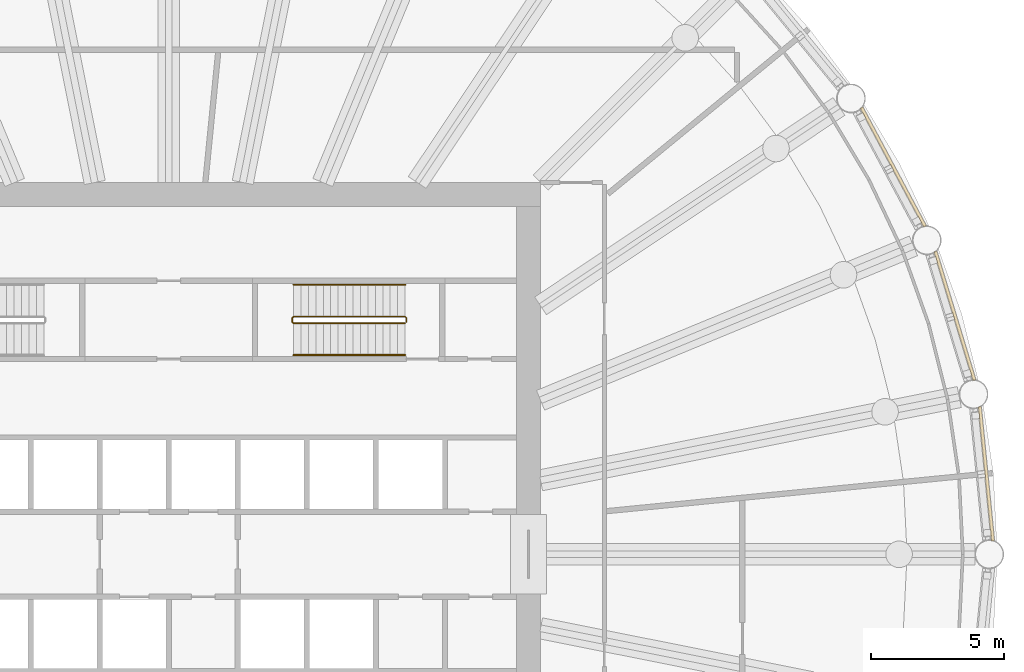
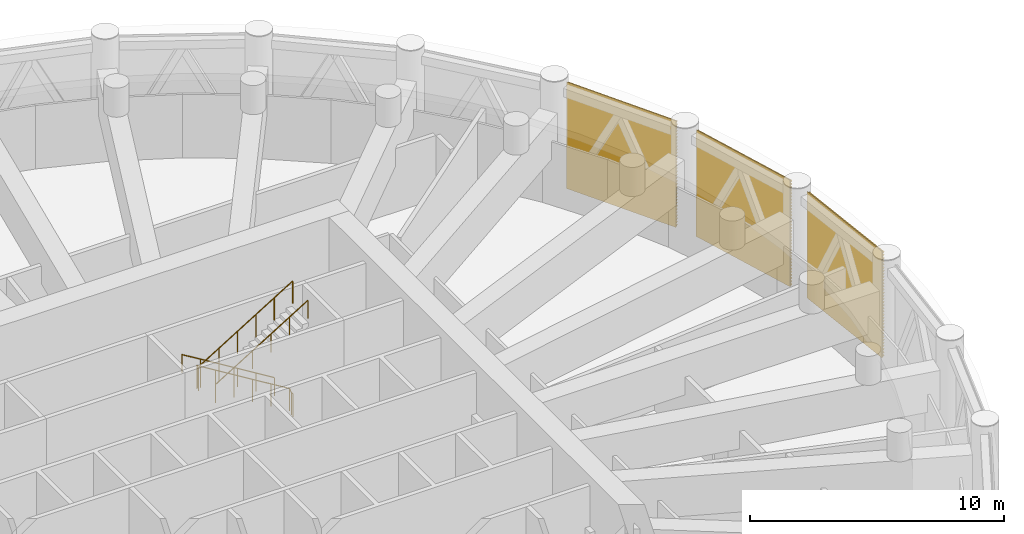
# One storey, part 22 of 23: 3 railings, 3 shading devices, 3 elements without a shape of their own.
"""IFC4 building model written with IfcOpenShell, lengths in metres."""

from ifc_helpers import new_model, si_unit, direction, frame, origin, origin_2d, place, context, subcontext, project, spatial, polyline, circle, outline, extrude, material, material_profile, profile_set, type_object, element, aggregate, save


model = new_model("IFC4")

# Units and contexts
model_context = context("Model", 3, precision=1e-05, world=origin(), true_north=direction((0.0, 1.0)))
body_context = subcontext(model_context, "Body", "Model", "MODEL_VIEW")
ifc_project = project(units=[si_unit("LENGTHUNIT", "METRE"), si_unit("AREAUNIT", "SQUARE_METRE"), si_unit("VOLUMEUNIT", "CUBIC_METRE"), si_unit("PLANEANGLEUNIT", "RADIAN"), si_unit("MASSUNIT", "GRAM", prefix="KILO")], contexts=[model_context])

# Site, building, storey
site_placement = place(None, origin())
site = spatial("IfcSite", under=ifc_project, at=site_placement, CompositionType="ELEMENT")
building_placement = place(site_placement, origin())
building = spatial("IfcBuilding", under=site, at=building_placement, Name="Corvane Civic Tower", CompositionType="ELEMENT")
storey_placement = place(building_placement, frame((0.0, 0.0, 196.0)))
storey = spatial("IfcBuildingStorey", under=building, at=storey_placement, Name="L46", CompositionType="ELEMENT", Elevation=196.0)

# Railings
ifc_material_1 = material(Name="Steel ASTM A572 Gr 50", Category="steel")
railing_type_1 = type_object("IfcRailingType", Name="ST-GUARD-1100", PredefinedType="GUARDRAIL", material=ifc_material_1)
railing_1_placement = place(storey_placement, frame((8.949951171875, 8.75, 0.0)))
element("IfcRailing", 1, at=railing_1_placement, inside=storey, type_object=railing_type_1, Name="L46 ST1 stair guard 1", PredefinedType="GUARDRAIL", context=body_context, shape_type="SweptSolid", body=[
    extrude(circle(Radius=0.02392578125, at=origin_2d()), frame((0.0, 0.0, 1.076171875), z_axis=(0.0, 1.0, 0.0), x_axis=(-1.0, 0.0, 0.0)), (0.0, 0.0, 1.0), 0.14990234375),
    extrude(circle(Radius=0.02392578125, at=origin_2d()), frame((0.0, 0.14990234375, 1.076171875), z_axis=(-0.269255725606, 0.269255725606, 0.92466356501), x_axis=(-0.707106781187, -0.707106781187, 0.0)), (0.0, 0.0, 1.0), 0.185791015625),
    extrude(circle(Radius=0.02392578125, at=origin_2d()), frame((-0.050048828125, 0.199951171875, 1.248046875), z_axis=(-0.852242915053, 0.0, 0.523146264196), x_axis=(0.0, -1.0, 0.0)), (0.0, 0.0, 1.0), 4.92822265625),
    extrude(circle(Radius=0.02392578125, at=origin_2d()), frame((-4.25, 0.199951171875, 3.826171875), z_axis=(-0.707106781187, -0.707106781187, 0.0), x_axis=(0.707106781187, -0.707106781187, 0.0)), (0.0, 0.0, 1.0), 0.07080078125),
    extrude(circle(Radius=0.02392578125, at=origin_2d()), frame((-4.300048828125, 0.14990234375, 3.826171875), z_axis=(0.0, -1.0, 0.0), x_axis=(1.0, 0.0, 0.0)), (0.0, 0.0, 1.0), 0.14990234375),
    extrude(circle(Radius=0.02392578125, at=origin_2d()), frame((-4.300048828125, 0.0, 3.826171875), z_axis=(0.269255725606, -0.269255725606, 0.92466356501), x_axis=(0.707106781187, 0.707106781187, 0.0)), (0.0, 0.0, 1.0), 0.185791015625),
    extrude(circle(Radius=0.02392578125, at=origin_2d()), frame((-4.25, -0.050048828125, 3.998046875), z_axis=(0.852242915053, 0.0, 0.523146264196), x_axis=(0.0, 1.0, 0.0)), (0.0, 0.0, 1.0), 4.92822265625),
    extrude(circle(Radius=0.02099609375, at=origin_2d()), origin(), (0.0, 0.0, 1.0), 1.052001953125),
    extrude(circle(Radius=0.02099609375, at=origin_2d()), frame((0.0, 0.14990234375, 0.0)), (0.0, 0.0, 1.0), 1.052001953125),
    extrude(circle(Radius=0.02099609375, at=origin_2d()), frame((-0.050048828125, 0.199951171875, 0.171875)), (0.0, 0.0, 1.0), 1.052001953125),
    extrude(circle(Radius=0.02099609375, at=origin_2d()), frame((-0.89013671875, 0.199951171875, 0.6875)), (0.0, 0.0, 1.0), 1.052001953125),
    extrude(circle(Radius=0.02099609375, at=origin_2d()), frame((-1.72998046875, 0.199951171875, 1.203125)), (0.0, 0.0, 1.0), 1.052001953125),
    extrude(circle(Radius=0.02099609375, at=origin_2d()), frame((-2.570068359375, 0.199951171875, 1.71875)), (0.0, 0.0, 1.0), 1.052001953125),
    extrude(circle(Radius=0.02099609375, at=origin_2d()), frame((-3.409912109375, 0.199951171875, 2.234375)), (0.0, 0.0, 1.0), 1.052001953125),
    extrude(circle(Radius=0.02099609375, at=origin_2d()), frame((-4.25, 0.199951171875, 2.75)), (0.0, 0.0, 1.0), 1.052001953125),
    extrude(circle(Radius=0.02099609375, at=origin_2d()), frame((-4.300048828125, 0.14990234375, 2.75)), (0.0, 0.0, 1.0), 1.052001953125),
    extrude(circle(Radius=0.02099609375, at=origin_2d()), frame((-4.300048828125, 0.0, 2.75)), (0.0, 0.0, 1.0), 1.052001953125),
    extrude(circle(Radius=0.02099609375, at=origin_2d()), frame((-4.25, -0.050048828125, 2.921875)), (0.0, 0.0, 1.0), 1.052001953125),
    extrude(circle(Radius=0.02099609375, at=origin_2d()), frame((-3.409912109375, -0.050048828125, 3.4375)), (0.0, 0.0, 1.0), 1.052001953125),
    extrude(circle(Radius=0.02099609375, at=origin_2d()), frame((-2.570068359375, -0.050048828125, 3.953125)), (0.0, 0.0, 1.0), 1.052001953125),
    extrude(circle(Radius=0.02099609375, at=origin_2d()), frame((-1.72998046875, -0.050048828125, 4.46875)), (0.0, 0.0, 1.0), 1.052001953125),
    extrude(circle(Radius=0.02099609375, at=origin_2d()), frame((-0.89013671875, -0.050048828125, 4.984375)), (0.0, 0.0, 1.0), 1.052001953125),
    extrude(circle(Radius=0.02099609375, at=origin_2d()), frame((-0.050048828125, -0.050048828125, 5.5)), (0.0, 0.0, 1.0), 1.052001953125),
])
ifc_material_2 = material(Name="Steel ASTM A572 Gr 50", Category="steel")
railing_type_2 = type_object("IfcRailingType", Name="ST-HANDRAIL-900", PredefinedType="HANDRAIL", material=ifc_material_2)
railing_2_placement = place(storey_placement, frame((8.89990234375, 10.14990234375, 0.171875)))
element("IfcRailing", 2, at=railing_2_placement, inside=storey, type_object=railing_type_2, Name="L46 ST1 stair handrail 1", PredefinedType="HANDRAIL", context=body_context, shape_type="SweptSolid", body=[
    extrude(circle(Radius=0.02392578125, at=origin_2d()), frame((0.0, 0.0, 0.8759765625), z_axis=(-0.852242915053, 0.0, 0.523146264196), x_axis=(0.0, -1.0, 0.0)), (0.0, 0.0, 1.0), 4.92822265625),
    extrude(circle(Radius=0.02099609375, at=origin_2d()), origin(), (0.0, 0.0, 1.0), 0.851806640625),
    extrude(circle(Radius=0.02099609375, at=origin_2d()), frame((-0.840087890625, 0.0, 0.515625)), (0.0, 0.0, 1.0), 0.851806640625),
    extrude(circle(Radius=0.02099609375, at=origin_2d()), frame((-1.679931640625, 0.0, 1.03125)), (0.0, 0.0, 1.0), 0.851806640625),
    extrude(circle(Radius=0.02099609375, at=origin_2d()), frame((-2.52001953125, 0.0, 1.546875)), (0.0, 0.0, 1.0), 0.851806640625),
    extrude(circle(Radius=0.02099609375, at=origin_2d()), frame((-3.35986328125, 0.0, 2.0625)), (0.0, 0.0, 1.0), 0.851806640625),
    extrude(circle(Radius=0.02099609375, at=origin_2d()), frame((-4.199951171875, 0.0, 2.578125)), (0.0, 0.0, 1.0), 0.851806640625),
])
railing_3_placement = place(storey_placement, frame((4.699951171875, 7.5, 2.921875)))
element("IfcRailing", 3, at=railing_3_placement, inside=storey, type_object=railing_type_2, Name="L46 ST1 stair handrail 2", PredefinedType="HANDRAIL", context=body_context, shape_type="SweptSolid", body=[
    extrude(circle(Radius=0.02392578125, at=origin_2d()), frame((0.0, 0.0, 0.8759765625), z_axis=(0.852242915053, 0.0, 0.523146264196), x_axis=(0.0, 1.0, 0.0)), (0.0, 0.0, 1.0), 4.92822265625),
    extrude(circle(Radius=0.02099609375, at=origin_2d()), origin(), (0.0, 0.0, 1.0), 0.851806640625),
    extrude(circle(Radius=0.02099609375, at=origin_2d()), frame((0.840087890625, 0.0, 0.515625)), (0.0, 0.0, 1.0), 0.851806640625),
    extrude(circle(Radius=0.02099609375, at=origin_2d()), frame((1.679931640625, 0.0, 1.03125)), (0.0, 0.0, 1.0), 0.851806640625),
    extrude(circle(Radius=0.02099609375, at=origin_2d()), frame((2.52001953125, 0.0, 1.546875)), (0.0, 0.0, 1.0), 0.851806640625),
    extrude(circle(Radius=0.02099609375, at=origin_2d()), frame((3.35986328125, 0.0, 2.0625)), (0.0, 0.0, 1.0), 0.851806640625),
    extrude(circle(Radius=0.02099609375, at=origin_2d()), frame((4.199951171875, 0.0, 2.578125)), (0.0, 0.0, 1.0), 0.851806640625),
])

# Curtain wall, shading device
ifc_material_3 = material(Name="Anodised aluminium bronze", Category="aluminium")
curtain_wall_type = type_object("IfcCurtainWallType", Name="TOWER CW-LV LOUVRE SCREEN WALL", PredefinedType="NOTDEFINED", material=ifc_material_3)
curtain_wall_1_placement = place(storey_placement, origin())
curtain_wall_1 = element("IfcCurtainWall", 4, at=curtain_wall_1_placement, inside=storey, type_object=curtain_wall_type, Name="Louvre screen wall CW-LV L46 bay 06", PredefinedType="NOTDEFINED")
ifc_material_4 = material(Name="Anodised aluminium bronze", Category="aluminium")
ifc_material_profile = material_profile(ifc_material_4, outline(polyline([(-0.06005859375, -2.56494140625), (-0.0400390625, -2.56494140625), (0.06005859375, -2.492919921875), (0.06005859375, -2.472900390625), (-0.0400390625, -2.544921875), (-0.0400390625, -2.4140625), (0.06005859375, -2.342041015625), (0.06005859375, -2.322021484375), (-0.0400390625, -2.39404296875), (-0.0400390625, -2.26318359375), (0.06005859375, -2.191162109375), (0.06005859375, -2.171142578125), (-0.0400390625, -2.2431640625), (-0.0400390625, -2.1123046875), (0.06005859375, -2.040283203125), (0.06005859375, -2.0205078125), (-0.0400390625, -2.09228515625), (-0.0400390625, -1.96142578125), (0.06005859375, -1.889404296875), (0.06005859375, -1.869384765625), (-0.0400390625, -1.94140625), (-0.0400390625, -1.810546875), (0.06005859375, -1.738525390625), (0.06005859375, -1.718505859375), (-0.0400390625, -1.79052734375), (-0.0400390625, -1.65966796875), (0.06005859375, -1.587646484375), (0.06005859375, -1.567626953125), (-0.0400390625, -1.6396484375), (-0.0400390625, -1.5087890625), (0.06005859375, -1.436767578125), (0.06005859375, -1.416748046875), (-0.0400390625, -1.48876953125), (-0.0400390625, -1.35791015625), (0.06005859375, -1.285888671875), (0.06005859375, -1.265869140625), (-0.0400390625, -1.337890625), (-0.0400390625, -1.20703125), (0.06005859375, -1.135009765625), (0.06005859375, -1.114990234375), (-0.0400390625, -1.18701171875), (-0.0400390625, -1.05615234375), (0.06005859375, -0.984130859375), (0.06005859375, -0.964111328125), (-0.0400390625, -1.0361328125), (-0.0400390625, -0.9052734375), (0.06005859375, -0.833251953125), (0.06005859375, -0.813232421875), (-0.0400390625, -0.88525390625), (-0.0400390625, -0.75439453125), (0.06005859375, -0.682373046875), (0.06005859375, -0.662353515625), (-0.0400390625, -0.734375), (-0.0400390625, -0.603515625), (0.06005859375, -0.531494140625), (0.06005859375, -0.511474609375), (-0.0400390625, -0.58349609375), (-0.0400390625, -0.45263671875), (0.06005859375, -0.380615234375), (0.06005859375, -0.360595703125), (-0.0400390625, -0.4326171875), (-0.0400390625, -0.3017578125), (0.06005859375, -0.229736328125), (0.06005859375, -0.209716796875), (-0.0400390625, -0.28173828125), (-0.0400390625, -0.15087890625), (0.06005859375, -0.078857421875), (0.06005859375, -0.058837890625), (-0.0400390625, -0.130859375), (-0.0400390625, 0.0), (0.06005859375, 0.072021484375), (0.06005859375, 0.092041015625), (-0.0400390625, 0.02001953125), (-0.0400390625, 0.15087890625), (0.06005859375, 0.222900390625), (0.06005859375, 0.242919921875), (-0.0400390625, 0.1708984375), (-0.0400390625, 0.3017578125), (0.06005859375, 0.373779296875), (0.06005859375, 0.393798828125), (-0.0400390625, 0.32177734375), (-0.0400390625, 0.45263671875), (0.06005859375, 0.524658203125), (0.06005859375, 0.544677734375), (-0.0400390625, 0.47265625), (-0.0400390625, 0.603515625), (0.06005859375, 0.675537109375), (0.06005859375, 0.695556640625), (-0.0400390625, 0.62353515625), (-0.0400390625, 0.75439453125), (0.06005859375, 0.826416015625), (0.06005859375, 0.846435546875), (-0.0400390625, 0.7744140625), (-0.0400390625, 0.9052734375), (0.06005859375, 0.977294921875), (0.06005859375, 0.997314453125), (-0.0400390625, 0.92529296875), (-0.0400390625, 1.05615234375), (0.06005859375, 1.128173828125), (0.06005859375, 1.148193359375), (-0.0400390625, 1.076171875), (-0.0400390625, 1.20703125), (0.06005859375, 1.279052734375), (0.06005859375, 1.299072265625), (-0.0400390625, 1.22705078125), (-0.0400390625, 1.35791015625), (0.06005859375, 1.429931640625), (0.06005859375, 1.449951171875), (-0.0400390625, 1.3779296875), (-0.0400390625, 1.5087890625), (0.06005859375, 1.580810546875), (0.06005859375, 1.600830078125), (-0.0400390625, 1.52880859375), (-0.0400390625, 1.65966796875), (0.06005859375, 1.731689453125), (0.06005859375, 1.751708984375), (-0.0400390625, 1.6796875), (-0.0400390625, 1.810546875), (0.06005859375, 1.882568359375), (0.06005859375, 1.902587890625), (-0.0400390625, 1.83056640625), (-0.0400390625, 1.96142578125), (0.06005859375, 2.033447265625), (0.06005859375, 2.053466796875), (-0.0400390625, 1.9814453125), (-0.0400390625, 2.1123046875), (0.06005859375, 2.184326171875), (0.06005859375, 2.204345703125), (-0.0400390625, 2.13232421875), (-0.0400390625, 2.26318359375), (0.06005859375, 2.335205078125), (0.06005859375, 2.355224609375), (-0.0400390625, 2.283203125), (-0.0400390625, 2.4140625), (0.06005859375, 2.486083984375), (0.06005859375, 2.506103515625), (-0.0400390625, 2.43408203125), (-0.0400390625, 2.56494140625), (-0.06005859375, 2.56494140625), (-0.06005859375, -2.56494140625)])), Name="TOWER LOUVRE BANK 5130 BRONZE")
ifc_profile_set = profile_set([ifc_material_profile], Name="Anodised aluminium bronze")
shading_device_type = type_object("IfcShadingDeviceType", Name="TOWER LOUVRE BANK 5130 BRONZE", PredefinedType="USERDEFINED", material=ifc_profile_set)
shading_device_1_placement = place(storey_placement, frame((26.081298828125, 16.819580078125, 2.68505859375), z_axis=(0.471396615074, -0.881921329426, 0.0), x_axis=(0.881921329426, 0.471396615074, 0.0)))
shading_device_1 = element("IfcShadingDevice", 5, at=shading_device_1_placement, type_object=shading_device_type, Name="Louvre bank L46 06.1", ObjectType="LOUVRE", PredefinedType="USERDEFINED", context=body_context, shape_type="SweptSolid", body=[
    extrude(outline(polyline([(-0.06005859375, -2.56494140625), (-0.0400390625, -2.56494140625), (0.06005859375, -2.492919921875), (0.06005859375, -2.472900390625), (-0.0400390625, -2.544921875), (-0.0400390625, -2.4140625), (0.06005859375, -2.342041015625), (0.06005859375, -2.322021484375), (-0.0400390625, -2.39404296875), (-0.0400390625, -2.26318359375), (0.06005859375, -2.191162109375), (0.06005859375, -2.171142578125), (-0.0400390625, -2.2431640625), (-0.0400390625, -2.1123046875), (0.06005859375, -2.040283203125), (0.06005859375, -2.0205078125), (-0.0400390625, -2.09228515625), (-0.0400390625, -1.96142578125), (0.06005859375, -1.889404296875), (0.06005859375, -1.869384765625), (-0.0400390625, -1.94140625), (-0.0400390625, -1.810546875), (0.06005859375, -1.738525390625), (0.06005859375, -1.718505859375), (-0.0400390625, -1.79052734375), (-0.0400390625, -1.65966796875), (0.06005859375, -1.587646484375), (0.06005859375, -1.567626953125), (-0.0400390625, -1.6396484375), (-0.0400390625, -1.5087890625), (0.06005859375, -1.436767578125), (0.06005859375, -1.416748046875), (-0.0400390625, -1.48876953125), (-0.0400390625, -1.35791015625), (0.06005859375, -1.285888671875), (0.06005859375, -1.265869140625), (-0.0400390625, -1.337890625), (-0.0400390625, -1.20703125), (0.06005859375, -1.135009765625), (0.06005859375, -1.114990234375), (-0.0400390625, -1.18701171875), (-0.0400390625, -1.05615234375), (0.06005859375, -0.984130859375), (0.06005859375, -0.964111328125), (-0.0400390625, -1.0361328125), (-0.0400390625, -0.9052734375), (0.06005859375, -0.833251953125), (0.06005859375, -0.813232421875), (-0.0400390625, -0.88525390625), (-0.0400390625, -0.75439453125), (0.06005859375, -0.682373046875), (0.06005859375, -0.662353515625), (-0.0400390625, -0.734375), (-0.0400390625, -0.603515625), (0.06005859375, -0.531494140625), (0.06005859375, -0.511474609375), (-0.0400390625, -0.58349609375), (-0.0400390625, -0.45263671875), (0.06005859375, -0.380615234375), (0.06005859375, -0.360595703125), (-0.0400390625, -0.4326171875), (-0.0400390625, -0.3017578125), (0.06005859375, -0.229736328125), (0.06005859375, -0.209716796875), (-0.0400390625, -0.28173828125), (-0.0400390625, -0.15087890625), (0.06005859375, -0.078857421875), (0.06005859375, -0.058837890625), (-0.0400390625, -0.130859375), (-0.0400390625, 0.0), (0.06005859375, 0.072021484375), (0.06005859375, 0.092041015625), (-0.0400390625, 0.02001953125), (-0.0400390625, 0.15087890625), (0.06005859375, 0.222900390625), (0.06005859375, 0.242919921875), (-0.0400390625, 0.1708984375), (-0.0400390625, 0.3017578125), (0.06005859375, 0.373779296875), (0.06005859375, 0.393798828125), (-0.0400390625, 0.32177734375), (-0.0400390625, 0.45263671875), (0.06005859375, 0.524658203125), (0.06005859375, 0.544677734375), (-0.0400390625, 0.47265625), (-0.0400390625, 0.603515625), (0.06005859375, 0.675537109375), (0.06005859375, 0.695556640625), (-0.0400390625, 0.62353515625), (-0.0400390625, 0.75439453125), (0.06005859375, 0.826416015625), (0.06005859375, 0.846435546875), (-0.0400390625, 0.7744140625), (-0.0400390625, 0.9052734375), (0.06005859375, 0.977294921875), (0.06005859375, 0.997314453125), (-0.0400390625, 0.92529296875), (-0.0400390625, 1.05615234375), (0.06005859375, 1.128173828125), (0.06005859375, 1.148193359375), (-0.0400390625, 1.076171875), (-0.0400390625, 1.20703125), (0.06005859375, 1.279052734375), (0.06005859375, 1.299072265625), (-0.0400390625, 1.22705078125), (-0.0400390625, 1.35791015625), (0.06005859375, 1.429931640625), (0.06005859375, 1.449951171875), (-0.0400390625, 1.3779296875), (-0.0400390625, 1.5087890625), (0.06005859375, 1.580810546875), (0.06005859375, 1.600830078125), (-0.0400390625, 1.52880859375), (-0.0400390625, 1.65966796875), (0.06005859375, 1.731689453125), (0.06005859375, 1.751708984375), (-0.0400390625, 1.6796875), (-0.0400390625, 1.810546875), (0.06005859375, 1.882568359375), (0.06005859375, 1.902587890625), (-0.0400390625, 1.83056640625), (-0.0400390625, 1.96142578125), (0.06005859375, 2.033447265625), (0.06005859375, 2.053466796875), (-0.0400390625, 1.9814453125), (-0.0400390625, 2.1123046875), (0.06005859375, 2.184326171875), (0.06005859375, 2.204345703125), (-0.0400390625, 2.13232421875), (-0.0400390625, 2.26318359375), (0.06005859375, 2.335205078125), (0.06005859375, 2.355224609375), (-0.0400390625, 2.283203125), (-0.0400390625, 2.4140625), (0.06005859375, 2.486083984375), (0.06005859375, 2.506103515625), (-0.0400390625, 2.43408203125), (-0.0400390625, 2.56494140625), (-0.06005859375, 2.56494140625), (-0.06005859375, -2.56494140625)])), origin(), (0.0, 0.0, 1.0), 5.07763671875),
])
aggregate(curtain_wall_1, [shading_device_1])

curtain_wall_2_placement = place(storey_placement, origin())
curtain_wall_2 = element("IfcCurtainWall", 6, at=curtain_wall_2_placement, inside=storey, type_object=curtain_wall_type, Name="Louvre screen wall CW-LV L46 bay 07", PredefinedType="NOTDEFINED")
shading_device_2_placement = place(storey_placement, frame((28.861572265625, 11.407958984375, 2.68505859375), z_axis=(0.290288977061, -0.956939031389, 0.0), x_axis=(0.956939031389, 0.290288977061, 0.0)))
shading_device_2 = element("IfcShadingDevice", 7, at=shading_device_2_placement, type_object=shading_device_type, Name="Louvre bank L46 07.1", ObjectType="LOUVRE", PredefinedType="USERDEFINED", context=body_context, shape_type="SweptSolid", body=[
    extrude(outline(polyline([(-0.06005859375, -2.56494140625), (-0.0400390625, -2.56494140625), (0.06005859375, -2.492919921875), (0.06005859375, -2.472900390625), (-0.0400390625, -2.544921875), (-0.0400390625, -2.4140625), (0.06005859375, -2.342041015625), (0.06005859375, -2.322021484375), (-0.0400390625, -2.39404296875), (-0.0400390625, -2.26318359375), (0.06005859375, -2.191162109375), (0.06005859375, -2.171142578125), (-0.0400390625, -2.2431640625), (-0.0400390625, -2.1123046875), (0.06005859375, -2.040283203125), (0.06005859375, -2.0205078125), (-0.0400390625, -2.09228515625), (-0.0400390625, -1.96142578125), (0.06005859375, -1.889404296875), (0.06005859375, -1.869384765625), (-0.0400390625, -1.94140625), (-0.0400390625, -1.810546875), (0.06005859375, -1.738525390625), (0.06005859375, -1.718505859375), (-0.0400390625, -1.79052734375), (-0.0400390625, -1.65966796875), (0.06005859375, -1.587646484375), (0.06005859375, -1.567626953125), (-0.0400390625, -1.6396484375), (-0.0400390625, -1.5087890625), (0.06005859375, -1.436767578125), (0.06005859375, -1.416748046875), (-0.0400390625, -1.48876953125), (-0.0400390625, -1.35791015625), (0.06005859375, -1.285888671875), (0.06005859375, -1.265869140625), (-0.0400390625, -1.337890625), (-0.0400390625, -1.20703125), (0.06005859375, -1.135009765625), (0.06005859375, -1.114990234375), (-0.0400390625, -1.18701171875), (-0.0400390625, -1.05615234375), (0.06005859375, -0.984130859375), (0.06005859375, -0.964111328125), (-0.0400390625, -1.0361328125), (-0.0400390625, -0.9052734375), (0.06005859375, -0.833251953125), (0.06005859375, -0.813232421875), (-0.0400390625, -0.88525390625), (-0.0400390625, -0.75439453125), (0.06005859375, -0.682373046875), (0.06005859375, -0.662353515625), (-0.0400390625, -0.734375), (-0.0400390625, -0.603515625), (0.06005859375, -0.531494140625), (0.06005859375, -0.511474609375), (-0.0400390625, -0.58349609375), (-0.0400390625, -0.45263671875), (0.06005859375, -0.380615234375), (0.06005859375, -0.360595703125), (-0.0400390625, -0.4326171875), (-0.0400390625, -0.3017578125), (0.06005859375, -0.229736328125), (0.06005859375, -0.209716796875), (-0.0400390625, -0.28173828125), (-0.0400390625, -0.15087890625), (0.06005859375, -0.078857421875), (0.06005859375, -0.058837890625), (-0.0400390625, -0.130859375), (-0.0400390625, 0.0), (0.06005859375, 0.072021484375), (0.06005859375, 0.092041015625), (-0.0400390625, 0.02001953125), (-0.0400390625, 0.15087890625), (0.06005859375, 0.222900390625), (0.06005859375, 0.242919921875), (-0.0400390625, 0.1708984375), (-0.0400390625, 0.3017578125), (0.06005859375, 0.373779296875), (0.06005859375, 0.393798828125), (-0.0400390625, 0.32177734375), (-0.0400390625, 0.45263671875), (0.06005859375, 0.524658203125), (0.06005859375, 0.544677734375), (-0.0400390625, 0.47265625), (-0.0400390625, 0.603515625), (0.06005859375, 0.675537109375), (0.06005859375, 0.695556640625), (-0.0400390625, 0.62353515625), (-0.0400390625, 0.75439453125), (0.06005859375, 0.826416015625), (0.06005859375, 0.846435546875), (-0.0400390625, 0.7744140625), (-0.0400390625, 0.9052734375), (0.06005859375, 0.977294921875), (0.06005859375, 0.997314453125), (-0.0400390625, 0.92529296875), (-0.0400390625, 1.05615234375), (0.06005859375, 1.128173828125), (0.06005859375, 1.148193359375), (-0.0400390625, 1.076171875), (-0.0400390625, 1.20703125), (0.06005859375, 1.279052734375), (0.06005859375, 1.299072265625), (-0.0400390625, 1.22705078125), (-0.0400390625, 1.35791015625), (0.06005859375, 1.429931640625), (0.06005859375, 1.449951171875), (-0.0400390625, 1.3779296875), (-0.0400390625, 1.5087890625), (0.06005859375, 1.580810546875), (0.06005859375, 1.600830078125), (-0.0400390625, 1.52880859375), (-0.0400390625, 1.65966796875), (0.06005859375, 1.731689453125), (0.06005859375, 1.751708984375), (-0.0400390625, 1.6796875), (-0.0400390625, 1.810546875), (0.06005859375, 1.882568359375), (0.06005859375, 1.902587890625), (-0.0400390625, 1.83056640625), (-0.0400390625, 1.96142578125), (0.06005859375, 2.033447265625), (0.06005859375, 2.053466796875), (-0.0400390625, 1.9814453125), (-0.0400390625, 2.1123046875), (0.06005859375, 2.184326171875), (0.06005859375, 2.204345703125), (-0.0400390625, 2.13232421875), (-0.0400390625, 2.26318359375), (0.06005859375, 2.335205078125), (0.06005859375, 2.355224609375), (-0.0400390625, 2.283203125), (-0.0400390625, 2.4140625), (0.06005859375, 2.486083984375), (0.06005859375, 2.506103515625), (-0.0400390625, 2.43408203125), (-0.0400390625, 2.56494140625), (-0.06005859375, 2.56494140625), (-0.06005859375, -2.56494140625)])), origin(), (0.0, 0.0, 1.0), 5.077392578125),
])
aggregate(curtain_wall_2, [shading_device_2])

curtain_wall_3_placement = place(storey_placement, origin())
curtain_wall_3 = element("IfcCurtainWall", 8, at=curtain_wall_3_placement, inside=storey, type_object=curtain_wall_type, Name="Louvre screen wall CW-LV L46 bay 08", PredefinedType="NOTDEFINED")
shading_device_3_placement = place(storey_placement, frame((30.53271484375, 5.558349609375, 2.68505859375), z_axis=(0.097989755963, -0.995187423416, 0.0), x_axis=(0.995187423416, 0.097989755963, 0.0)))
shading_device_3 = element("IfcShadingDevice", 9, at=shading_device_3_placement, type_object=shading_device_type, Name="Louvre bank L46 08.1", ObjectType="LOUVRE", PredefinedType="USERDEFINED", context=body_context, shape_type="SweptSolid", body=[
    extrude(outline(polyline([(-0.06005859375, -2.56494140625), (-0.0400390625, -2.56494140625), (0.06005859375, -2.492919921875), (0.06005859375, -2.472900390625), (-0.0400390625, -2.544921875), (-0.0400390625, -2.4140625), (0.06005859375, -2.342041015625), (0.06005859375, -2.322021484375), (-0.0400390625, -2.39404296875), (-0.0400390625, -2.26318359375), (0.06005859375, -2.191162109375), (0.06005859375, -2.171142578125), (-0.0400390625, -2.2431640625), (-0.0400390625, -2.1123046875), (0.06005859375, -2.040283203125), (0.06005859375, -2.0205078125), (-0.0400390625, -2.09228515625), (-0.0400390625, -1.96142578125), (0.06005859375, -1.889404296875), (0.06005859375, -1.869384765625), (-0.0400390625, -1.94140625), (-0.0400390625, -1.810546875), (0.06005859375, -1.738525390625), (0.06005859375, -1.718505859375), (-0.0400390625, -1.79052734375), (-0.0400390625, -1.65966796875), (0.06005859375, -1.587646484375), (0.06005859375, -1.567626953125), (-0.0400390625, -1.6396484375), (-0.0400390625, -1.5087890625), (0.06005859375, -1.436767578125), (0.06005859375, -1.416748046875), (-0.0400390625, -1.48876953125), (-0.0400390625, -1.35791015625), (0.06005859375, -1.285888671875), (0.06005859375, -1.265869140625), (-0.0400390625, -1.337890625), (-0.0400390625, -1.20703125), (0.06005859375, -1.135009765625), (0.06005859375, -1.114990234375), (-0.0400390625, -1.18701171875), (-0.0400390625, -1.05615234375), (0.06005859375, -0.984130859375), (0.06005859375, -0.964111328125), (-0.0400390625, -1.0361328125), (-0.0400390625, -0.9052734375), (0.06005859375, -0.833251953125), (0.06005859375, -0.813232421875), (-0.0400390625, -0.88525390625), (-0.0400390625, -0.75439453125), (0.06005859375, -0.682373046875), (0.06005859375, -0.662353515625), (-0.0400390625, -0.734375), (-0.0400390625, -0.603515625), (0.06005859375, -0.531494140625), (0.06005859375, -0.511474609375), (-0.0400390625, -0.58349609375), (-0.0400390625, -0.45263671875), (0.06005859375, -0.380615234375), (0.06005859375, -0.360595703125), (-0.0400390625, -0.4326171875), (-0.0400390625, -0.3017578125), (0.06005859375, -0.229736328125), (0.06005859375, -0.209716796875), (-0.0400390625, -0.28173828125), (-0.0400390625, -0.15087890625), (0.06005859375, -0.078857421875), (0.06005859375, -0.058837890625), (-0.0400390625, -0.130859375), (-0.0400390625, 0.0), (0.06005859375, 0.072021484375), (0.06005859375, 0.092041015625), (-0.0400390625, 0.02001953125), (-0.0400390625, 0.15087890625), (0.06005859375, 0.222900390625), (0.06005859375, 0.242919921875), (-0.0400390625, 0.1708984375), (-0.0400390625, 0.3017578125), (0.06005859375, 0.373779296875), (0.06005859375, 0.393798828125), (-0.0400390625, 0.32177734375), (-0.0400390625, 0.45263671875), (0.06005859375, 0.524658203125), (0.06005859375, 0.544677734375), (-0.0400390625, 0.47265625), (-0.0400390625, 0.603515625), (0.06005859375, 0.675537109375), (0.06005859375, 0.695556640625), (-0.0400390625, 0.62353515625), (-0.0400390625, 0.75439453125), (0.06005859375, 0.826416015625), (0.06005859375, 0.846435546875), (-0.0400390625, 0.7744140625), (-0.0400390625, 0.9052734375), (0.06005859375, 0.977294921875), (0.06005859375, 0.997314453125), (-0.0400390625, 0.92529296875), (-0.0400390625, 1.05615234375), (0.06005859375, 1.128173828125), (0.06005859375, 1.148193359375), (-0.0400390625, 1.076171875), (-0.0400390625, 1.20703125), (0.06005859375, 1.279052734375), (0.06005859375, 1.299072265625), (-0.0400390625, 1.22705078125), (-0.0400390625, 1.35791015625), (0.06005859375, 1.429931640625), (0.06005859375, 1.449951171875), (-0.0400390625, 1.3779296875), (-0.0400390625, 1.5087890625), (0.06005859375, 1.580810546875), (0.06005859375, 1.600830078125), (-0.0400390625, 1.52880859375), (-0.0400390625, 1.65966796875), (0.06005859375, 1.731689453125), (0.06005859375, 1.751708984375), (-0.0400390625, 1.6796875), (-0.0400390625, 1.810546875), (0.06005859375, 1.882568359375), (0.06005859375, 1.902587890625), (-0.0400390625, 1.83056640625), (-0.0400390625, 1.96142578125), (0.06005859375, 2.033447265625), (0.06005859375, 2.053466796875), (-0.0400390625, 1.9814453125), (-0.0400390625, 2.1123046875), (0.06005859375, 2.184326171875), (0.06005859375, 2.204345703125), (-0.0400390625, 2.13232421875), (-0.0400390625, 2.26318359375), (0.06005859375, 2.335205078125), (0.06005859375, 2.355224609375), (-0.0400390625, 2.283203125), (-0.0400390625, 2.4140625), (0.06005859375, 2.486083984375), (0.06005859375, 2.506103515625), (-0.0400390625, 2.43408203125), (-0.0400390625, 2.56494140625), (-0.06005859375, 2.56494140625), (-0.06005859375, -2.56494140625)])), origin(), (0.0, 0.0, 1.0), 5.07763671875),
])
aggregate(curtain_wall_3, [shading_device_3])

save(model, "model.ifc")
